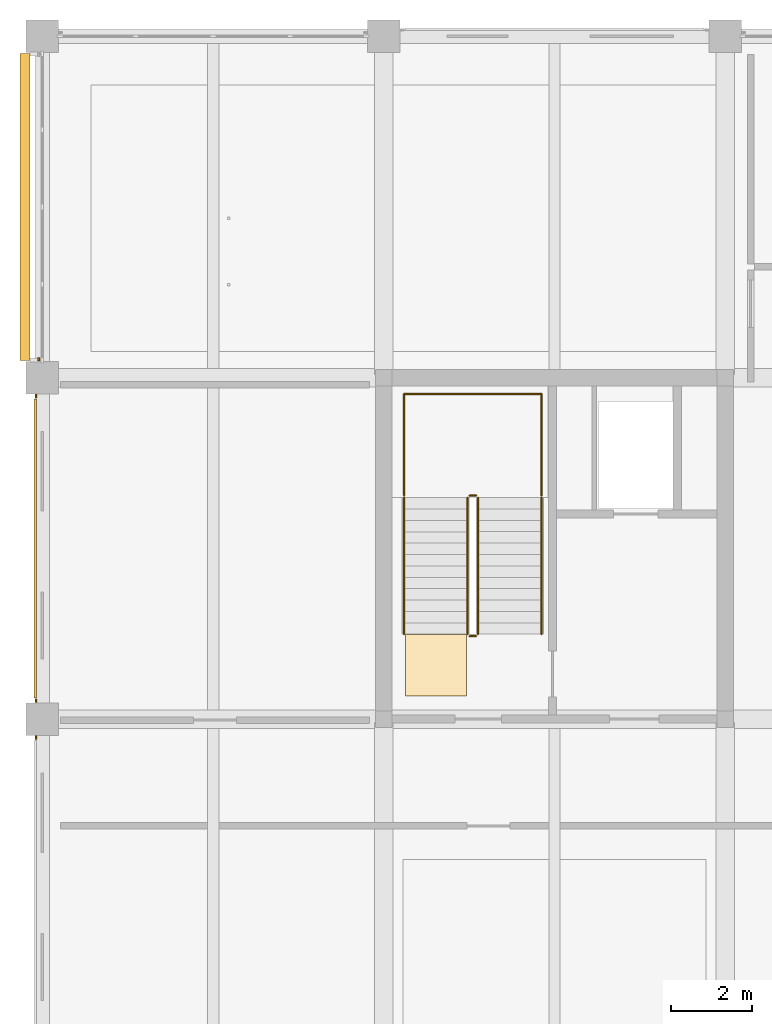
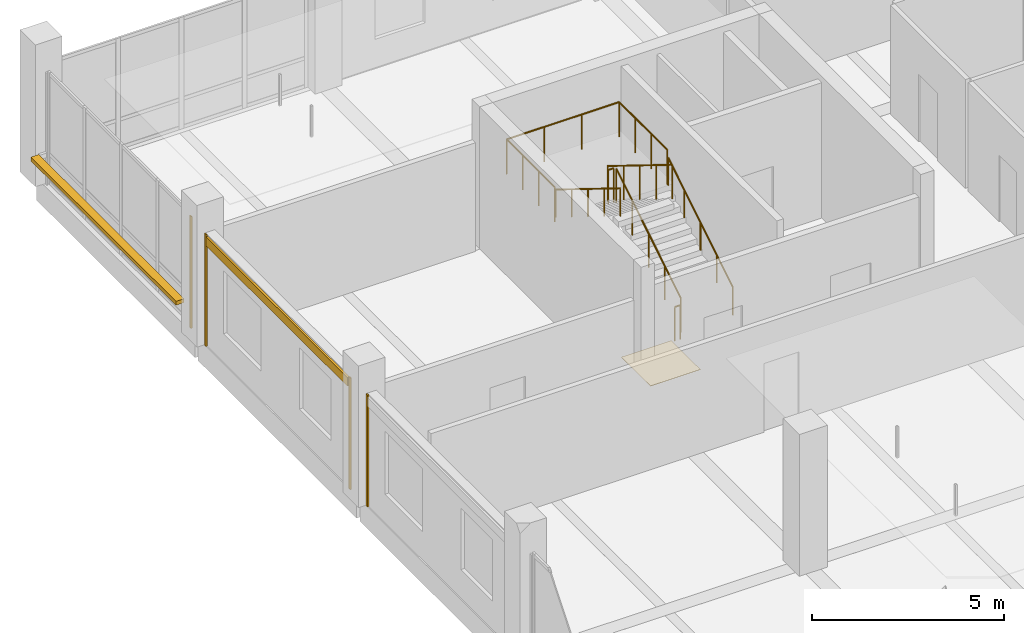
# One storey, part 26 of 36: 7 railings, 6 coverings, 1 shading device.
"""IFC4 building model written with IfcOpenShell, lengths in metres."""

from ifc_helpers import new_model, si_unit, direction, frame, origin, origin_2d, place, context, subcontext, project, spatial, polyline, rectangle, circle, outline, extrude, material, layer, layer_set, type_object, element, save


model = new_model("IFC4")

# Units and contexts
model_context = context("Model", 3, precision=1e-05, world=origin(), true_north=direction((0.0, 1.0)))
body_context = subcontext(model_context, "Body", "Model", "MODEL_VIEW")
ifc_project = project(units=[si_unit("LENGTHUNIT", "METRE"), si_unit("AREAUNIT", "SQUARE_METRE"), si_unit("VOLUMEUNIT", "CUBIC_METRE"), si_unit("PLANEANGLEUNIT", "RADIAN"), si_unit("MASSUNIT", "GRAM", prefix="KILO")], contexts=[model_context])

# Site, building, storey
site_placement = place(None, origin())
site = spatial("IfcSite", under=ifc_project, at=site_placement, CompositionType="ELEMENT")
building_placement = place(site_placement, origin())
building = spatial("IfcBuilding", under=site, at=building_placement, Name="Telukmera Botanical Conservatory", CompositionType="ELEMENT")
storey_placement = place(building_placement, frame((0.0, 0.0, 33.0)))
storey = spatial("IfcBuildingStorey", under=building, at=storey_placement, Name="L07", CompositionType="ELEMENT", Elevation=33.0)

# Coverings
ifc_material_1 = material(Name="Honed granite non-slip flooring", Category="masonry")
ifc_layer_1 = layer(ifc_material_1, 0.011962890625)
ifc_layer_set_1 = layer_set([ifc_layer_1], Name="Honed granite non-slip flooring")
covering_type_1 = type_object("IfcCoveringType", Name="COV-FLR-12", PredefinedType="FLOORING", material=ifc_layer_set_1)
covering_1_placement = place(storey_placement, origin())
element("IfcCovering", 1, at=covering_1_placement, inside=storey, type_object=covering_type_1, Name="L07 ST1 Non-Slip Stair Landing Finish", PredefinedType="FLOORING", context=body_context, shape_type="SweptSolid", body=[
    extrude(outline(polyline([(60.830078125, 26.570068359375), (60.830078125, 28.0849609375), (59.330078125, 28.0849609375), (59.330078125, 26.570068359375), (60.830078125, 26.570068359375)])), origin(), (0.0, 0.0, 1.0), 0.011962890625),
])
ifc_material_2 = material(Name="Granite-faced precast concrete C40/50", Category="masonry")
ifc_layer_2 = layer(ifc_material_2, 0.0400390625)
ifc_layer_set_2 = layer_set([ifc_layer_2], Name="Granite-faced precast concrete C40/50")
covering_type_2 = type_object("IfcCoveringType", Name="Granite Precast Column Pier Reveal Casing", PredefinedType="CLADDING", material=ifc_layer_set_2)
for number, where, z_axis, x_axis, name in (
    (2, (50.239990234375, 25.548095703125, 0.0), (0.0, 0.0, 1.0), (0.0, 1.0, 0.0), "Granite Pier Reveal V4:L07:W2 R"),
    (3, (50.239990234375, 26.451904296875, 0.0), (0.0, 0.0, 1.0), (0.0, 1.0, 0.0), "Granite Pier Reveal V4:L07:W3 L"),
    (4, (50.239990234375, 33.947998046875, 0.0), (0.0, 0.0, 1.0), (0.0, 1.0, 0.0), "Granite Pier Reveal V4:L07:W3 R"),
    (5, (50.31005859375, 34.85205078125, 0.0), (0.0, 0.0, 1.0), (0.0, 1.0, 0.0), "Granite Pier Reveal V4:L07:W4 L"),
):
    element("IfcCovering", number, at=place(storey_placement, frame(where, z_axis=z_axis, x_axis=x_axis)), inside=storey, type_object=covering_type_2, Name=name, PredefinedType="CLADDING", context=body_context, shape_type="SweptSolid", body=[
        extrude(rectangle(XDim=0.080078125, YDim=0.0400390625, at=origin_2d()), origin(), (0.0, 0.0, 1.0), 3.550048828125),
    ])

# Shading device
ifc_material_3 = material(Name="Perforated terracotta-anodised aluminium 6063-T6", Category="masonry")
ifc_layer_3 = layer(ifc_material_3, 0.044921875)
ifc_layer_set_3 = layer_set([ifc_layer_3], Name="Perforated terracotta-anodised aluminium 6063-T6")
shading_device_type = type_object("IfcShadingDeviceType", Name="Perforated Terracotta Aluminium Monsoon Brise Soleil", PredefinedType="JALOUSIE", material=ifc_layer_set_3)
shading_device_placement = place(storey_placement, frame((49.969970703125, 38.60009765625, 0.889892578125), z_axis=(0.0, 0.0, 1.0), x_axis=(0.0, 1.0, 0.0)))
element("IfcShadingDevice", 6, at=shading_device_placement, inside=storey, type_object=shading_device_type, Name="Monsoon Shading BS01 V4:L07:W4", PredefinedType="JALOUSIE", context=body_context, shape_type="SweptSolid", body=[
    extrude(rectangle(XDim=7.555908203125, YDim=0.239990234375, at=origin_2d()), origin(), (0.0, 0.0, 1.0), 0.1201171875),
])

# Covering
ifc_material_4 = material(Name="Terracotta-faced precast concrete C40/50", Category="masonry")
ifc_layer_4 = layer(ifc_material_4, 0.06005859375)
ifc_layer_set_4 = layer_set([ifc_layer_4], Name="Terracotta-faced precast concrete C40/50")
covering_type_3 = type_object("IfcCoveringType", Name="Polychrome Terracotta Facade Band Cladding", PredefinedType="CLADDING", material=ifc_layer_set_4)
covering_2_placement = place(storey_placement, frame((50.22998046875, 30.199951171875, 3.22998046875), z_axis=(0.0, 0.0, 1.0), x_axis=(0.0, 1.0, 0.0)))
element("IfcCovering", 7, at=covering_2_placement, inside=storey, type_object=covering_type_3, Name="Polychrome Terracotta Band V4:L07:W3", PredefinedType="CLADDING", context=body_context, shape_type="SweptSolid", body=[
    extrude(rectangle(XDim=7.35595703125, YDim=0.06005859375, at=origin_2d()), origin(), (0.0, 0.0, 1.0), 0.280029296875),
])

# Railings
ifc_material_5 = material(Name="Steel S355", Category="steel")
railing_type_1 = type_object("IfcRailingType", Name="RL-GUARD-1100", PredefinedType="GUARDRAIL", material=ifc_material_5)
railing_1_placement = place(storey_placement, frame((61.1201171875, 28.090087890625, 0.173095703125)))
element("IfcRailing", 8, at=railing_1_placement, inside=storey, type_object=railing_type_1, Name="L07 ST1 stair guard 1", PredefinedType="GUARDRAIL", context=body_context, shape_type="SweptSolid", body=[
    extrude(circle(Radius=0.02392578125, at=origin_2d()), frame((0.0, 0.0, 1.076171875), z_axis=(0.0, 0.850606129759, 0.525803396734), x_axis=(-1.0, 0.0, 0.0)), (0.0, 0.0, 1.0), 3.949951171875),
    extrude(circle(Radius=0.02099609375, at=origin_2d()), origin(), (0.0, 0.0, 1.0), 1.052001953125),
    extrude(circle(Radius=0.02099609375, at=origin_2d()), frame((0.0, 0.83984375, 0.519287109375)), (0.0, 0.0, 1.0), 1.052001953125),
    extrude(circle(Radius=0.02099609375, at=origin_2d()), frame((0.0, 1.679931640625, 1.03857421875)), (0.0, 0.0, 1.0), 1.052001953125),
    extrude(circle(Radius=0.02099609375, at=origin_2d()), frame((0.0, 2.52001953125, 1.5576171875)), (0.0, 0.0, 1.0), 1.052001953125),
    extrude(circle(Radius=0.02099609375, at=origin_2d()), frame((0.0, 3.35986328125, 2.076904296875)), (0.0, 0.0, 1.0), 1.052001953125),
])
railing_2_placement = place(storey_placement, frame((61.070068359375, 31.5, 2.25)))
element("IfcRailing", 9, at=railing_2_placement, inside=storey, type_object=railing_type_1, Name="L07 ST1 stair guard 2", PredefinedType="GUARDRAIL", context=body_context, shape_type="SweptSolid", body=[
    extrude(circle(Radius=0.02392578125, at=origin_2d()), frame((0.0, 0.0, 1.076171875), z_axis=(-1.0, 0.0, 0.0), x_axis=(0.0, -1.0, 0.0)), (0.0, 0.0, 1.0), 0.16015625),
    extrude(circle(Radius=0.02099609375, at=origin_2d()), origin(), (0.0, 0.0, 1.0), 1.052001953125),
    extrude(circle(Radius=0.02099609375, at=origin_2d()), frame((-0.16015625, 0.0, 0.0)), (0.0, 0.0, 1.0), 1.052001953125),
])
railing_3_placement = place(storey_placement, frame((60.860107421875, 31.449951171875, 2.423095703125)))
element("IfcRailing", 10, at=railing_3_placement, inside=storey, type_object=railing_type_1, Name="L07 ST1 stair guard 3", PredefinedType="GUARDRAIL", context=body_context, shape_type="SweptSolid", body=[
    extrude(circle(Radius=0.02392578125, at=origin_2d()), frame((0.0, 0.0, 1.076171875), z_axis=(0.0, -0.850606129759, 0.525803396734), x_axis=(1.0, 0.0, 0.0)), (0.0, 0.0, 1.0), 3.949951171875),
    extrude(circle(Radius=0.02099609375, at=origin_2d()), origin(), (0.0, 0.0, 1.0), 1.052001953125),
    extrude(circle(Radius=0.02099609375, at=origin_2d()), frame((0.0, -0.83984375, 0.519287109375)), (0.0, 0.0, 1.0), 1.052001953125),
    extrude(circle(Radius=0.02099609375, at=origin_2d()), frame((0.0, -1.679931640625, 1.03857421875)), (0.0, 0.0, 1.0), 1.052001953125),
    extrude(circle(Radius=0.02099609375, at=origin_2d()), frame((0.0, -2.52001953125, 1.5576171875)), (0.0, 0.0, 1.0), 1.052001953125),
    extrude(circle(Radius=0.02099609375, at=origin_2d()), frame((0.0, -3.35986328125, 2.076904296875)), (0.0, 0.0, 1.0), 1.052001953125),
])
railing_4_placement = place(storey_placement, frame((61.070068359375, 28.0400390625, 0.0)))
element("IfcRailing", 11, at=railing_4_placement, inside=storey, type_object=railing_type_1, Name="L07 ST1 stair guard 4", PredefinedType="GUARDRAIL", context=body_context, shape_type="SweptSolid", body=[
    extrude(circle(Radius=0.02392578125, at=origin_2d()), frame((0.0, 0.0, 1.076171875), z_axis=(-1.0, 0.0, 0.0), x_axis=(0.0, -1.0, 0.0)), (0.0, 0.0, 1.0), 0.16015625),
    extrude(circle(Radius=0.02099609375, at=origin_2d()), origin(), (0.0, 0.0, 1.0), 1.052001953125),
    extrude(circle(Radius=0.02099609375, at=origin_2d()), frame((-0.16015625, 0.0, 0.0)), (0.0, 0.0, 1.0), 1.052001953125),
])
railing_5_placement = place(storey_placement, frame((62.679931640625, 31.5, 2.25)))
element("IfcRailing", 12, at=railing_5_placement, inside=storey, type_object=railing_type_1, Name="L07 ST1 half-landing perimeter guard 1", PredefinedType="GUARDRAIL", context=body_context, shape_type="SweptSolid", body=[
    extrude(circle(Radius=0.02392578125, at=origin_2d()), frame((0.0, 0.0, 1.09619140625), z_axis=(0.0, 1.0, 0.0), x_axis=(-1.0, 0.0, 0.0)), (0.0, 0.0, 1.0), 2.5),
    extrude(circle(Radius=0.02392578125, at=origin_2d()), frame((0.0, 2.5, 1.09619140625), z_axis=(-1.0, 0.0, 0.0), x_axis=(0.0, -1.0, 0.0)), (0.0, 0.0, 1.0), 3.3798828125),
    extrude(circle(Radius=0.02392578125, at=origin_2d()), frame((-3.3798828125, 2.5, 1.09619140625), z_axis=(0.0, -1.0, 0.0), x_axis=(1.0, 0.0, 0.0)), (0.0, 0.0, 1.0), 2.5),
    extrude(circle(Radius=0.02099609375, at=origin_2d()), origin(), (0.0, 0.0, 1.0), 1.072021484375),
    extrude(circle(Radius=0.02099609375, at=origin_2d()), frame((0.0, 0.833251953125, 0.0)), (0.0, 0.0, 1.0), 1.072021484375),
    extrude(circle(Radius=0.02099609375, at=origin_2d()), frame((0.0, 1.666748046875, 0.0)), (0.0, 0.0, 1.0), 1.072021484375),
    extrude(circle(Radius=0.02099609375, at=origin_2d()), frame((0.0, 2.5, 0.0)), (0.0, 0.0, 1.0), 1.072021484375),
    extrude(circle(Radius=0.02099609375, at=origin_2d()), frame((-1.126708984375, 2.5, 0.0)), (0.0, 0.0, 1.0), 1.072021484375),
    extrude(circle(Radius=0.02099609375, at=origin_2d()), frame((-2.253173828125, 2.5, 0.0)), (0.0, 0.0, 1.0), 1.072021484375),
    extrude(circle(Radius=0.02099609375, at=origin_2d()), frame((-3.3798828125, 2.5, 0.0)), (0.0, 0.0, 1.0), 1.072021484375),
    extrude(circle(Radius=0.02099609375, at=origin_2d()), frame((-3.3798828125, 1.666748046875, 0.0)), (0.0, 0.0, 1.0), 1.072021484375),
    extrude(circle(Radius=0.02099609375, at=origin_2d()), frame((-3.3798828125, 0.833251953125, 0.0)), (0.0, 0.0, 1.0), 1.072021484375),
    extrude(circle(Radius=0.02099609375, at=origin_2d()), frame((-3.3798828125, 0.0, 0.0)), (0.0, 0.0, 1.0), 1.072021484375),
])
ifc_material_6 = material(Name="Stainless steel 316", Category="steel")
railing_type_2 = type_object("IfcRailingType", Name="RL-HAND-900", PredefinedType="HANDRAIL", material=ifc_material_6)
railing_6_placement = place(storey_placement, frame((62.679931640625, 28.090087890625, 0.173095703125)))
element("IfcRailing", 13, at=railing_6_placement, inside=storey, type_object=railing_type_2, Name="L07 ST1 stair handrail 1", PredefinedType="HANDRAIL", context=body_context, shape_type="SweptSolid", body=[
    extrude(circle(Radius=0.02392578125, at=origin_2d()), frame((0.0, 0.0, 0.8759765625), z_axis=(0.0, 0.850606129759, 0.525803396734), x_axis=(-1.0, 0.0, 0.0)), (0.0, 0.0, 1.0), 3.949951171875),
    extrude(circle(Radius=0.02099609375, at=origin_2d()), origin(), (0.0, 0.0, 1.0), 0.851806640625),
    extrude(circle(Radius=0.02099609375, at=origin_2d()), frame((0.0, 0.83984375, 0.519287109375)), (0.0, 0.0, 1.0), 0.851806640625),
    extrude(circle(Radius=0.02099609375, at=origin_2d()), frame((0.0, 1.679931640625, 1.03857421875)), (0.0, 0.0, 1.0), 0.851806640625),
    extrude(circle(Radius=0.02099609375, at=origin_2d()), frame((0.0, 2.52001953125, 1.5576171875)), (0.0, 0.0, 1.0), 0.851806640625),
    extrude(circle(Radius=0.02099609375, at=origin_2d()), frame((0.0, 3.35986328125, 2.076904296875)), (0.0, 0.0, 1.0), 0.851806640625),
])
railing_7_placement = place(storey_placement, frame((59.300048828125, 31.449951171875, 2.423095703125)))
element("IfcRailing", 14, at=railing_7_placement, inside=storey, type_object=railing_type_2, Name="L07 ST1 stair handrail 2", PredefinedType="HANDRAIL", context=body_context, shape_type="SweptSolid", body=[
    extrude(circle(Radius=0.02392578125, at=origin_2d()), frame((0.0, 0.0, 0.8759765625), z_axis=(0.0, -0.850606129759, 0.525803396734), x_axis=(1.0, 0.0, 0.0)), (0.0, 0.0, 1.0), 3.949951171875),
    extrude(circle(Radius=0.02099609375, at=origin_2d()), origin(), (0.0, 0.0, 1.0), 0.851806640625),
    extrude(circle(Radius=0.02099609375, at=origin_2d()), frame((0.0, -0.83984375, 0.519287109375)), (0.0, 0.0, 1.0), 0.851806640625),
    extrude(circle(Radius=0.02099609375, at=origin_2d()), frame((0.0, -1.679931640625, 1.03857421875)), (0.0, 0.0, 1.0), 0.851806640625),
    extrude(circle(Radius=0.02099609375, at=origin_2d()), frame((0.0, -2.52001953125, 1.5576171875)), (0.0, 0.0, 1.0), 0.851806640625),
    extrude(circle(Radius=0.02099609375, at=origin_2d()), frame((0.0, -3.35986328125, 2.076904296875)), (0.0, 0.0, 1.0), 0.851806640625),
])

save(model, "model.ifc")
